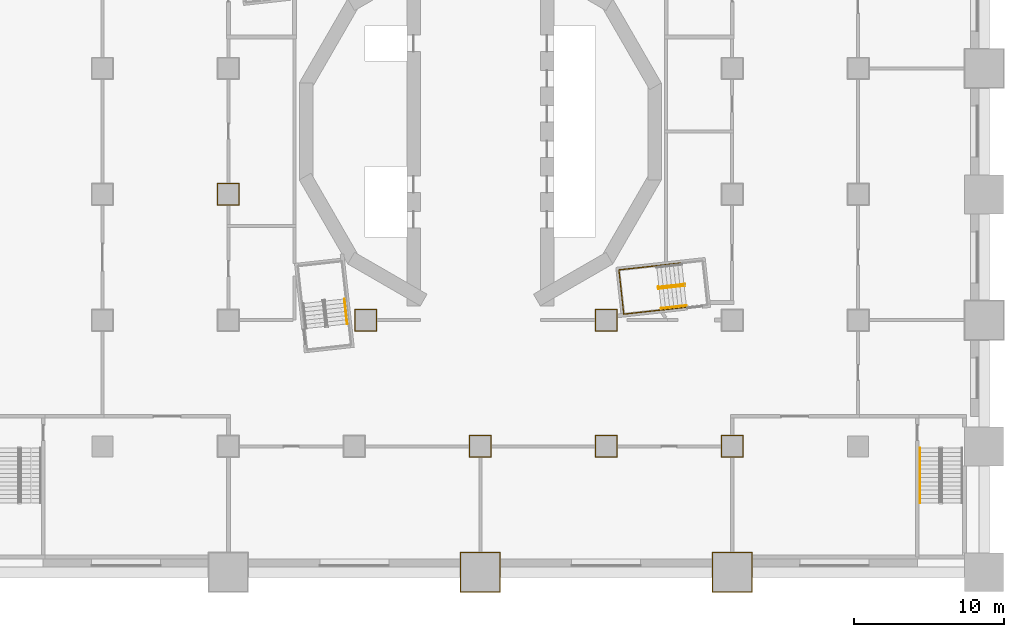
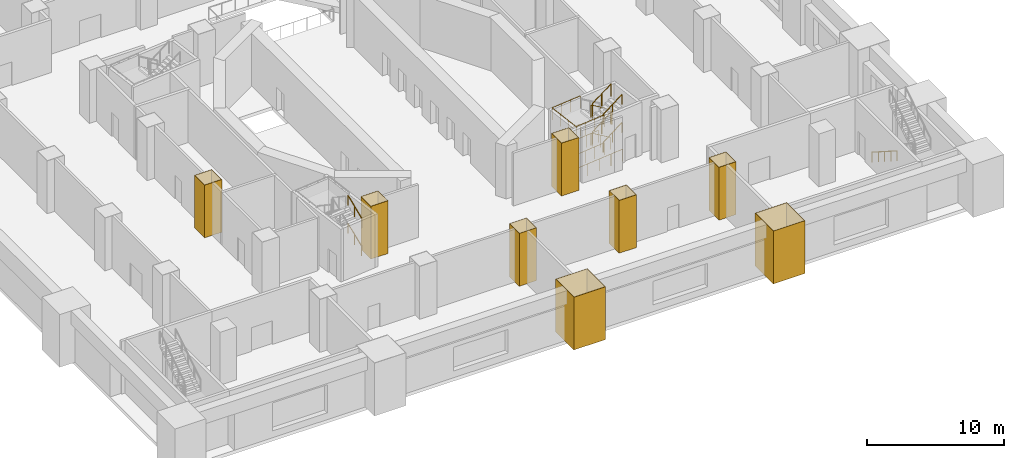
# One storey, part 10 of 18: 12 railings, 8 coverings.
"""IFC4 building model written with IfcOpenShell, lengths in metres."""

import ifcopenshell
import ifcopenshell.guid

model = None  # the IFC model being written
_history = None  # IfcOwnerHistory: only IFC2X3 demands one
_inside = {}  # id of a spatial element -> (the spatial element, [elements in it])
_under = {}  # id of a project, library or spatial element -> (it, [spatial elements below it])
_declared = {}  # id of a project -> (the project, [libraries it declares])
_typed = {}  # id of a type object -> (the type object, [elements of that type])
_made_of = {}  # id of a material, layer set ... -> (it, [elements and type objects made of it])


def new_model(schema):
    """Start an empty IFC model of exactly this schema.

    Asked for "IFC4X3", IfcOpenShell would pick the latest addendum, in which some entities
    have other attributes; the version numbers below select the first issue.
    IFC2X3 requires an IfcOwnerHistory on every rooted entity: one is made here for all.
    """
    global model, _history
    if schema == "IFC4X3":
        model = ifcopenshell.file(schema_version=(4, 3, 0, 0))
    else:
        model = ifcopenshell.file(schema=schema)
    _inside.clear()
    _under.clear()
    _declared.clear()
    _typed.clear()
    _made_of.clear()
    _history = None
    if model.schema == "IFC2X3":
        org = make("IfcOrganization", Name="unknown")
        user = make(
            "IfcPersonAndOrganization",
            ThePerson=make("IfcPerson", FamilyName="unknown"),
            TheOrganization=org,
        )
        app = make(
            "IfcApplication",
            ApplicationDeveloper=org,
            Version="unknown",
            ApplicationFullName="unknown",
            ApplicationIdentifier="unknown",
        )
        _history = make(
            "IfcOwnerHistory",
            OwningUser=user,
            OwningApplication=app,
            ChangeAction="ADDED",
            CreationDate=0,
        )
    return model


def make(cls, **values):
    """One entity of the class cls with the attributes given. An attribute that is None is left unset."""
    return model.create_entity(
        cls, **{name: value for name, value in values.items() if value is not None}
    )


def rooted(cls, **values):
    """An entity with a GlobalId (a new one), such as an element, a storey or a relation."""
    return make(cls, GlobalId=ifcopenshell.guid.new(), OwnerHistory=_history, **values)


def si_unit(unit_type, name, prefix=None):
    """IfcSIUnit, for example si_unit("LENGTHUNIT", "METRE", prefix="MILLI")."""
    return make("IfcSIUnit", UnitType=unit_type, Prefix=prefix, Name=name)


def assignment(units):
    """IfcUnitAssignment: the units of a project."""
    return None if units is None else make("IfcUnitAssignment", Units=units)


def point(xyz):
    """IfcCartesianPoint."""
    return None if xyz is None else make("IfcCartesianPoint", Coordinates=xyz)


def direction(xyz):
    """IfcDirection."""
    return None if xyz is None else make("IfcDirection", DirectionRatios=xyz)


def frame(location, z_axis=None, x_axis=None):
    """IfcAxis2Placement3D, a coordinate frame: its origin and axes. An axis left out is left unset."""
    return make(
        "IfcAxis2Placement3D",
        Location=point(location),
        Axis=direction(z_axis),
        RefDirection=direction(x_axis),
    )


def frame_2d(location, x_axis=None):
    """IfcAxis2Placement2D, a coordinate frame in the plane: its origin and x axis."""
    return make(
        "IfcAxis2Placement2D", Location=point(location), RefDirection=direction(x_axis)
    )


def origin():
    """The frame at (0, 0, 0) with its axes left unset."""
    return frame((0.0, 0.0, 0.0))


def origin_2d():
    """The frame at (0, 0) in the plane with its x axis left unset."""
    return frame_2d((0.0, 0.0))


def place(relative_to, where):
    """IfcLocalPlacement: puts the frame where relative to a parent placement (None: the world)."""
    return make(
        "IfcLocalPlacement", PlacementRelTo=relative_to, RelativePlacement=where
    )


def context(
    kind, dimensions, precision=None, world=None, true_north=None, identifier=None
):
    """IfcGeometricRepresentationContext, for example the 3D "Model" context."""
    return make(
        "IfcGeometricRepresentationContext",
        ContextIdentifier=identifier,
        ContextType=kind,
        CoordinateSpaceDimension=dimensions,
        Precision=precision,
        WorldCoordinateSystem=world,
        TrueNorth=true_north,
    )


def subcontext(parent, identifier, kind, view, scale=None):
    """IfcGeometricRepresentationSubContext, for example "Body" below "Model"."""
    return make(
        "IfcGeometricRepresentationSubContext",
        ContextIdentifier=identifier,
        ContextType=kind,
        ParentContext=parent,
        TargetScale=scale,
        TargetView=view,
    )


def project(units=None, contexts=None):
    """IfcProject with its units and contexts."""
    return rooted(
        "IfcProject",
        Name="project",
        RepresentationContexts=contexts,
        UnitsInContext=assignment(units),
    )


def spatial(cls, under=None, at=None, **own):
    """A site, building, storey or space (cls), placed at a placement, below another one or the project."""
    s = rooted(cls, ObjectPlacement=at, **own)
    if under is not None:
        _under.setdefault(under.id(), (under, []))[1].append(s)
    return s


def polyline(points):
    """IfcPolyline through the points."""
    return make("IfcPolyline", Points=[point(p) for p in points])


def profile(cls, at=None, kind="AREA", **sizes):
    """A parametric profile (cls). Its sizes go by their IFC names, for example OverallWidth=200.0."""
    return make(cls, ProfileType=kind, Position=at, **sizes)


def circle(**sizes):
    """IfcCircleProfileDef."""
    return profile("IfcCircleProfileDef", **sizes)


def outline(outer, holes=None, kind="AREA"):
    """IfcArbitraryClosedProfileDef: a profile drawn as a closed curve; with holes, ...WithVoids."""
    if holes is None:
        return make("IfcArbitraryClosedProfileDef", ProfileType=kind, OuterCurve=outer)
    return make(
        "IfcArbitraryProfileDefWithVoids",
        ProfileType=kind,
        OuterCurve=outer,
        InnerCurves=holes,
    )


def extrude(swept, where, along, depth):
    """IfcExtrudedAreaSolid: the profile swept, set in the frame where, extruded along a direction by depth."""
    return make(
        "IfcExtrudedAreaSolid",
        SweptArea=swept,
        Position=where,
        ExtrudedDirection=direction(along),
        Depth=depth,
    )


def shape(context_of_items, identifier, shape_type, items):
    """IfcShapeRepresentation: the items that make up one representation, for example the "Body"."""
    return make(
        "IfcShapeRepresentation",
        ContextOfItems=context_of_items,
        RepresentationIdentifier=identifier,
        RepresentationType=shape_type,
        Items=items,
    )


def material(Name=None, Category=None):
    """IfcMaterial."""
    return make("IfcMaterial", Name=Name, Category=Category)


def layer(
    of_material, thickness, ventilated=None, Name=None, Category=None, Priority=None
):
    """IfcMaterialLayer: one layer of a wall or slab, of a material (None: an air gap)."""
    return make(
        "IfcMaterialLayer",
        Material=of_material,
        LayerThickness=thickness,
        IsVentilated=ventilated,
        Name=Name,
        Category=Category,
        Priority=Priority,
    )


def layer_set(layers, Name=None):
    """IfcMaterialLayerSet."""
    return make("IfcMaterialLayerSet", MaterialLayers=layers, LayerSetName=Name)


def made_of(thing, what):
    """Note that an element or type object is made of a material, layer set ...; save() writes the relation."""
    if what is not None:
        _made_of.setdefault(what.id(), (what, []))[1].append(thing)
    return thing


def type_object(cls, material=None, **own):
    """A type object (cls), such as IfcWallType, which elements share."""
    return made_of(rooted(cls, **own), material)


def element(
    cls,
    number,
    at=None,
    inside=None,
    cuts=None,
    type_object=None,
    material=None,
    context=None,
    identifier="Body",
    shape_type=None,
    held_by="IfcProductDefinitionShape",
    body=None,
    shapes=None,
    **own,
):
    """One element of the class cls, such as IfcWall. Its Tag is "e" and its number.

    at: its placement. inside: the storey or other place that contains it. cuts: it is an
    opening in that element (IfcRelVoidsElement). A single representation is given by context,
    identifier, shape_type and body (its items); several are given by shapes. held_by: the class
    of the entity that holds the representations. save() writes the other relations.
    """
    e = rooted(cls, Tag="e%d" % number, ObjectPlacement=at, **own)
    if body is not None:
        shapes = [shape(context, identifier, shape_type, body)]
    if shapes is not None:
        e.Representation = make(held_by, Representations=shapes)
    if inside is not None:
        _inside.setdefault(inside.id(), (inside, []))[1].append(e)
    if cuts is not None:
        rooted(
            "IfcRelVoidsElement", RelatingBuildingElement=cuts, RelatedOpeningElement=e
        )
    if type_object is not None:
        _typed.setdefault(type_object.id(), (type_object, []))[1].append(e)
    return made_of(e, material)


def aggregate(whole, parts):
    """IfcRelAggregates: a whole, such as a stair, and the parts it consists of."""
    return rooted("IfcRelAggregates", RelatingObject=whole, RelatedObjects=parts)


def save(model, path):
    """Write the relations noted so far, then the file.

    IfcRelAggregates (storeys below a building ...), IfcRelContainedInSpatialStructure (elements
    in a storey), IfcRelDefinesByType, IfcRelAssociatesMaterial and IfcRelDeclares: one each for
    every whole, place, type object, material and project.
    """
    for whole, parts in _under.values():
        aggregate(whole, parts)
    for where, things in _inside.values():
        rooted(
            "IfcRelContainedInSpatialStructure",
            RelatedElements=things,
            RelatingStructure=where,
        )
    for kind, things in _typed.values():
        rooted("IfcRelDefinesByType", RelatedObjects=things, RelatingType=kind)
    for what, things in _made_of.values():
        rooted("IfcRelAssociatesMaterial", RelatedObjects=things, RelatingMaterial=what)
    for by, libraries in _declared.values():
        rooted("IfcRelDeclares", RelatingContext=by, RelatedDefinitions=libraries)
    model.write(path)


model = new_model("IFC4")

# Units and contexts
model_context = context("Model", 3, precision=1e-05, world=origin(), true_north=direction((0.0, 1.0)))
body_context = subcontext(model_context, "Body", "Model", "MODEL_VIEW")
ifc_project = project(units=[si_unit("LENGTHUNIT", "METRE"), si_unit("AREAUNIT", "SQUARE_METRE"), si_unit("VOLUMEUNIT", "CUBIC_METRE"), si_unit("PLANEANGLEUNIT", "RADIAN"), si_unit("MASSUNIT", "GRAM", prefix="KILO")], contexts=[model_context])

# Site, building, storey
site_placement = place(None, origin())
site = spatial("IfcSite", under=ifc_project, at=site_placement, CompositionType="ELEMENT")
building_placement = place(site_placement, origin())
building = spatial("IfcBuilding", under=site, at=building_placement, Name="Cantera Rosa Tower", CompositionType="ELEMENT")
storey_placement = place(building_placement, frame((0.0, 0.0, 17.0)))
storey = spatial("IfcBuildingStorey", under=building, at=storey_placement, Name="L02", CompositionType="ELEMENT", Elevation=17.0)

# Coverings
ifc_material_1 = material(Name="Plaster")
ifc_layer = layer(ifc_material_1, 0.030029296875)
ifc_layer_set = layer_set([ifc_layer], Name="Column casing 30")
covering_type = type_object("IfcCoveringType", Name="Column casing 30", PredefinedType="CLADDING", material=ifc_layer_set)
covering_1_placement = place(storey_placement, origin())
element("IfcCovering", 1, at=covering_1_placement, inside=storey, type_object=covering_type, Name="Column casing L02-008", PredefinedType="CLADDING", context=body_context, shape_type="SweptSolid", body=[
    extrude(outline(polyline([(-17.530029296875, -4.929931640625), (-16.070068359375, -4.929931640625), (-16.070068359375, -3.469970703125), (-17.530029296875, -3.469970703125), (-17.530029296875, -4.929931640625)]), holes=[polyline([(-16.10009765625, -3.5), (-17.5, -3.5), (-17.5, -4.89990234375), (-16.10009765625, -4.89990234375), (-16.10009765625, -3.5)])]), origin(), (0.0, 0.0, 1.0), 4.699951171875),
])
covering_2_placement = place(storey_placement, origin())
element("IfcCovering", 2, at=covering_2_placement, inside=storey, type_object=covering_type, Name="Column casing L02-014", PredefinedType="CLADDING", context=body_context, shape_type="SweptSolid", body=[
    extrude(outline(polyline([(-8.3798828125, -13.330078125), (-6.919921875, -13.330078125), (-6.919921875, -11.8701171875), (-8.3798828125, -11.8701171875), (-8.3798828125, -13.330078125)]), holes=[polyline([(-6.949951171875, -11.89990234375), (-8.35009765625, -11.89990234375), (-8.35009765625, -13.300048828125), (-6.949951171875, -13.300048828125), (-6.949951171875, -11.89990234375)])]), origin(), (0.0, 0.0, 1.0), 4.699951171875),
])
covering_3_placement = place(storey_placement, origin())
element("IfcCovering", 3, at=covering_3_placement, inside=storey, type_object=covering_type, Name="Column casing L02-017", PredefinedType="CLADDING", context=body_context, shape_type="SweptSolid", body=[
    extrude(outline(polyline([(-1.330078125, -30.72998046875), (1.330078125, -30.72998046875), (1.330078125, -28.070068359375), (-1.330078125, -28.070068359375), (-1.330078125, -30.72998046875)]), holes=[polyline([(1.300048828125, -28.10009765625), (-1.300048828125, -28.10009765625), (-1.300048828125, -30.699951171875), (1.300048828125, -30.699951171875), (1.300048828125, -28.10009765625)])]), origin(), (0.0, 0.0, 1.0), 4.699951171875),
])
covering_4_placement = place(storey_placement, origin())
element("IfcCovering", 4, at=covering_4_placement, inside=storey, type_object=covering_type, Name="Column casing L02-018", PredefinedType="CLADDING", context=body_context, shape_type="SweptSolid", body=[
    extrude(outline(polyline([(-0.72998046875, -21.72998046875), (0.72998046875, -21.72998046875), (0.72998046875, -20.27001953125), (-0.72998046875, -20.27001953125), (-0.72998046875, -21.72998046875)]), holes=[polyline([(0.699951171875, -20.300048828125), (-0.699951171875, -20.300048828125), (-0.699951171875, -21.699951171875), (0.699951171875, -21.699951171875), (0.699951171875, -20.300048828125)])]), origin(), (0.0, 0.0, 1.0), 4.699951171875),
])
covering_5_placement = place(storey_placement, origin())
element("IfcCovering", 5, at=covering_5_placement, inside=storey, type_object=covering_type, Name="Column casing L02-020", PredefinedType="CLADDING", context=body_context, shape_type="SweptSolid", body=[
    extrude(outline(polyline([(7.669921875, -21.72998046875), (9.1298828125, -21.72998046875), (9.1298828125, -20.27001953125), (7.669921875, -20.27001953125), (7.669921875, -21.72998046875)]), holes=[polyline([(9.10009765625, -20.300048828125), (7.699951171875, -20.300048828125), (7.699951171875, -21.699951171875), (9.10009765625, -21.699951171875), (9.10009765625, -20.300048828125)])]), origin(), (0.0, 0.0, 1.0), 4.699951171875),
])
covering_6_placement = place(storey_placement, origin())
element("IfcCovering", 6, at=covering_6_placement, inside=storey, type_object=covering_type, Name="Column casing L02-021", PredefinedType="CLADDING", context=body_context, shape_type="SweptSolid", body=[
    extrude(outline(polyline([(7.669921875, -13.330078125), (9.1298828125, -13.330078125), (9.1298828125, -11.8701171875), (7.669921875, -11.8701171875), (7.669921875, -13.330078125)]), holes=[polyline([(9.10009765625, -11.89990234375), (7.699951171875, -11.89990234375), (7.699951171875, -13.300048828125), (9.10009765625, -13.300048828125), (9.10009765625, -11.89990234375)])]), origin(), (0.0, 0.0, 1.0), 4.699951171875),
])
covering_7_placement = place(storey_placement, origin())
element("IfcCovering", 7, at=covering_7_placement, inside=storey, type_object=covering_type, Name="Column casing L02-024", PredefinedType="CLADDING", context=body_context, shape_type="SweptSolid", body=[
    extrude(outline(polyline([(15.469970703125, -30.72998046875), (18.1298828125, -30.72998046875), (18.1298828125, -28.070068359375), (15.469970703125, -28.070068359375), (15.469970703125, -30.72998046875)]), holes=[polyline([(18.10009765625, -28.10009765625), (15.5, -28.10009765625), (15.5, -30.699951171875), (18.10009765625, -30.699951171875), (18.10009765625, -28.10009765625)])]), origin(), (0.0, 0.0, 1.0), 4.699951171875),
])
covering_8_placement = place(storey_placement, origin())
element("IfcCovering", 8, at=covering_8_placement, inside=storey, type_object=covering_type, Name="Column casing L02-025", PredefinedType="CLADDING", context=body_context, shape_type="SweptSolid", body=[
    extrude(outline(polyline([(16.070068359375, -21.72998046875), (17.530029296875, -21.72998046875), (17.530029296875, -20.27001953125), (16.070068359375, -20.27001953125), (16.070068359375, -21.72998046875)]), holes=[polyline([(17.5, -20.300048828125), (16.10009765625, -20.300048828125), (16.10009765625, -21.699951171875), (17.5, -21.699951171875), (17.5, -20.300048828125)])]), origin(), (0.0, 0.0, 1.0), 4.699951171875),
])

# Railings
ifc_material_2 = material(Name="Steel S355J2 (EN 10025-2)", Category="steel")
railing_type_1 = type_object("IfcRailingType", Name="STAIR GUARD 1100", PredefinedType="GUARDRAIL", material=ifc_material_2)
railing_1_placement = place(storey_placement, frame((13.5859375, -10.19677734375, 0.178466796875)))
element("IfcRailing", 9, at=railing_1_placement, inside=storey, type_object=railing_type_1, Name="L02 ST-14 stair guard 1", PredefinedType="GUARDRAIL", context=body_context, shape_type="SweptSolid", body=[
    extrude(circle(Radius=0.02392578125, at=origin_2d()), frame((0.0, 0.0, 1.076171875), z_axis=(-0.837950904326, -0.092996744609, 0.537763784046), x_axis=(0.110303920128, -0.993897904819, 0.0)), (0.0, 0.0, 1.0), 1.99267578125),
    extrude(circle(Radius=0.02392578125, at=origin_2d()), frame((-1.669677734375, -0.185302734375, 2.1474609375), z_axis=(-0.932897555956, 0.360141847183, 0.0), x_axis=(-0.360141847183, -0.932897555956, 0.0)), (0.0, 0.0, 1.0), 0.05615234375),
    extrude(circle(Radius=0.02392578125, at=origin_2d()), frame((-1.72216796875, -0.1650390625, 2.1474609375), z_axis=(0.110610055588, -0.993863881828, 0.0), x_axis=(0.993863881828, 0.110610055588, 0.0)), (0.0, 0.0, 1.0), 0.150146484375),
    extrude(circle(Radius=0.02099609375, at=origin_2d()), origin(), (0.0, 0.0, 1.0), 1.052001953125),
    extrude(circle(Radius=0.02099609375, at=origin_2d()), frame((-0.8349609375, -0.0927734375, 0.53564453125)), (0.0, 0.0, 1.0), 1.052001953125),
    extrude(circle(Radius=0.02099609375, at=origin_2d()), frame((-1.669677734375, -0.185302734375, 1.071533203125)), (0.0, 0.0, 1.0), 1.052001953125),
    extrude(circle(Radius=0.02099609375, at=origin_2d()), frame((-1.72216796875, -0.1650390625, 1.071533203125)), (0.0, 0.0, 1.0), 1.052001953125),
    extrude(circle(Radius=0.02099609375, at=origin_2d()), frame((-1.70556640625, -0.314208984375, 1.071533203125)), (0.0, 0.0, 1.0), 1.052001953125),
])
railing_2_placement = place(storey_placement, frame((11.927001953125, -10.4794921875, 1.428466796875)))
element("IfcRailing", 10, at=railing_2_placement, inside=storey, type_object=railing_type_1, Name="L02 ST-14 stair guard 2", PredefinedType="GUARDRAIL", context=body_context, shape_type="SweptSolid", body=[
    extrude(circle(Radius=0.02392578125, at=origin_2d()), frame((0.0, 0.0, 1.076171875), z_axis=(0.837987391448, 0.092987197384, 0.537708576179), x_axis=(-0.11028798999, 0.993899672635, 0.0)), (0.0, 0.0, 1.0), 1.99267578125),
    extrude(circle(Radius=0.02392578125, at=origin_2d()), frame((1.669921875, 0.185302734375, 2.1474609375), z_axis=(0.931434406233, -0.363909256389, 0.0), x_axis=(0.363909256389, 0.931434406233, 0.0)), (0.0, 0.0, 1.0), 0.056396484375),
    extrude(circle(Radius=0.02392578125, at=origin_2d()), frame((1.722412109375, 0.164794921875, 2.1474609375), z_axis=(-0.110610055588, 0.993863881828, 0.0), x_axis=(-0.993863881828, -0.110610055588, 0.0)), (0.0, 0.0, 1.0), 0.150146484375),
    extrude(circle(Radius=0.02099609375, at=origin_2d()), origin(), (0.0, 0.0, 1.0), 1.052001953125),
    extrude(circle(Radius=0.02099609375, at=origin_2d()), frame((0.8349609375, 0.0927734375, 0.53564453125)), (0.0, 0.0, 1.0), 1.052001953125),
    extrude(circle(Radius=0.02099609375, at=origin_2d()), frame((1.669921875, 0.185302734375, 1.071533203125)), (0.0, 0.0, 1.0), 1.052001953125),
    extrude(circle(Radius=0.02099609375, at=origin_2d()), frame((1.722412109375, 0.164794921875, 1.071533203125)), (0.0, 0.0, 1.0), 1.052001953125),
    extrude(circle(Radius=0.02099609375, at=origin_2d()), frame((1.705810546875, 0.31396484375, 1.071533203125)), (0.0, 0.0, 1.0), 1.052001953125),
])
railing_3_placement = place(storey_placement, frame((13.5859375, -10.19677734375, 2.678466796875)))
element("IfcRailing", 11, at=railing_3_placement, inside=storey, type_object=railing_type_1, Name="L02 ST-14 stair guard 3", PredefinedType="GUARDRAIL", context=body_context, shape_type="SweptSolid", body=[
    extrude(circle(Radius=0.02392578125, at=origin_2d()), frame((0.0, 0.0, 1.076171875), z_axis=(-0.837950904326, -0.092996744609, 0.537763784046), x_axis=(0.110303920128, -0.993897904819, 0.0)), (0.0, 0.0, 1.0), 1.99267578125),
    extrude(circle(Radius=0.02392578125, at=origin_2d()), frame((-1.669677734375, -0.185302734375, 2.1474609375), z_axis=(-0.932897555956, 0.360141847183, 0.0), x_axis=(-0.360141847183, -0.932897555956, 0.0)), (0.0, 0.0, 1.0), 0.05615234375),
    extrude(circle(Radius=0.02392578125, at=origin_2d()), frame((-1.72216796875, -0.1650390625, 2.1474609375), z_axis=(0.110610055588, -0.993863881828, 0.0), x_axis=(0.993863881828, 0.110610055588, 0.0)), (0.0, 0.0, 1.0), 0.150146484375),
    extrude(circle(Radius=0.02099609375, at=origin_2d()), origin(), (0.0, 0.0, 1.0), 1.052001953125),
    extrude(circle(Radius=0.02099609375, at=origin_2d()), frame((-0.8349609375, -0.0927734375, 0.53564453125)), (0.0, 0.0, 1.0), 1.052001953125),
    extrude(circle(Radius=0.02099609375, at=origin_2d()), frame((-1.669677734375, -0.185302734375, 1.071533203125)), (0.0, 0.0, 1.0), 1.052001953125),
    extrude(circle(Radius=0.02099609375, at=origin_2d()), frame((-1.72216796875, -0.1650390625, 1.071533203125)), (0.0, 0.0, 1.0), 1.052001953125),
    extrude(circle(Radius=0.02099609375, at=origin_2d()), frame((-1.70556640625, -0.314208984375, 1.071533203125)), (0.0, 0.0, 1.0), 1.052001953125),
])
railing_4_placement = place(storey_placement, frame((11.927001953125, -10.4794921875, 3.928466796875)))
element("IfcRailing", 12, at=railing_4_placement, inside=storey, type_object=railing_type_1, Name="L02 ST-14 stair guard 4", PredefinedType="GUARDRAIL", context=body_context, shape_type="SweptSolid", body=[
    extrude(circle(Radius=0.02392578125, at=origin_2d()), frame((0.0, 0.0, 1.076171875), z_axis=(0.837987391448, 0.092987197384, 0.537708576179), x_axis=(-0.11028798999, 0.993899672635, 0.0)), (0.0, 0.0, 1.0), 1.99267578125),
    extrude(circle(Radius=0.02099609375, at=origin_2d()), origin(), (0.0, 0.0, 1.0), 1.052001953125),
    extrude(circle(Radius=0.02099609375, at=origin_2d()), frame((0.8349609375, 0.0927734375, 0.53564453125)), (0.0, 0.0, 1.0), 1.052001953125),
    extrude(circle(Radius=0.02099609375, at=origin_2d()), frame((1.669921875, 0.185302734375, 1.071533203125)), (0.0, 0.0, 1.0), 1.052001953125),
])
railing_5_placement = place(storey_placement, frame((13.415771484375, -8.77099609375, 0.0)))
element("IfcRailing", 13, at=railing_5_placement, inside=storey, type_object=railing_type_1, Name="L02 ST-14 stair guard 6", PredefinedType="GUARDRAIL", context=body_context, shape_type="SweptSolid", body=[
    extrude(circle(Radius=0.02392578125, at=origin_2d()), frame((0.0, 0.0, 1.076171875), z_axis=(-0.9938957856, -0.110323013767, 0.0), x_axis=(0.110323013767, -0.9938957856, 0.0)), (0.0, 0.0, 1.0), 4.197998046875),
    extrude(circle(Radius=0.02392578125, at=origin_2d()), frame((-4.17236328125, -0.463134765625, 1.076171875), z_axis=(0.110314237986, -0.993896759678, 0.0), x_axis=(0.993896759678, 0.110314237986, 0.0)), (0.0, 0.0, 1.0), 2.969970703125),
    extrude(circle(Radius=0.02392578125, at=origin_2d()), frame((-3.8447265625, -3.4150390625, 1.076171875), z_axis=(0.9938957856, 0.110323013767, 0.0), x_axis=(-0.110323013767, 0.9938957856, 0.0)), (0.0, 0.0, 1.0), 4.197998046875),
    extrude(circle(Radius=0.02099609375, at=origin_2d()), origin(), (0.0, 0.0, 1.0), 1.052001953125),
    extrude(circle(Radius=0.02099609375, at=origin_2d()), frame((-1.04296875, -0.11572265625, 0.0)), (0.0, 0.0, 1.0), 1.052001953125),
    extrude(circle(Radius=0.02099609375, at=origin_2d()), frame((-2.086181640625, -0.2314453125, 0.0)), (0.0, 0.0, 1.0), 1.052001953125),
    extrude(circle(Radius=0.02099609375, at=origin_2d()), frame((-3.12939453125, -0.347412109375, 0.0)), (0.0, 0.0, 1.0), 1.052001953125),
    extrude(circle(Radius=0.02099609375, at=origin_2d()), frame((-4.17236328125, -0.463134765625, 0.0)), (0.0, 0.0, 1.0), 1.052001953125),
    extrude(circle(Radius=0.02099609375, at=origin_2d()), frame((-4.063232421875, -1.447021484375, 0.0)), (0.0, 0.0, 1.0), 1.052001953125),
    extrude(circle(Radius=0.02099609375, at=origin_2d()), frame((-3.953857421875, -2.43115234375, 0.0)), (0.0, 0.0, 1.0), 1.052001953125),
    extrude(circle(Radius=0.02099609375, at=origin_2d()), frame((-3.8447265625, -3.4150390625, 0.0)), (0.0, 0.0, 1.0), 1.052001953125),
    extrude(circle(Radius=0.02099609375, at=origin_2d()), frame((-2.8017578125, -3.29931640625, 0.0)), (0.0, 0.0, 1.0), 1.052001953125),
    extrude(circle(Radius=0.02099609375, at=origin_2d()), frame((-1.758544921875, -3.18359375, 0.0)), (0.0, 0.0, 1.0), 1.052001953125),
    extrude(circle(Radius=0.02099609375, at=origin_2d()), frame((-0.71533203125, -3.067626953125, 0.0)), (0.0, 0.0, 1.0), 1.052001953125),
    extrude(circle(Radius=0.02099609375, at=origin_2d()), frame((0.32763671875, -2.951904296875, 0.0)), (0.0, 0.0, 1.0), 1.052001953125),
])
railing_6_placement = place(storey_placement, frame((11.769775390625, -8.95361328125, 1.25)))
element("IfcRailing", 14, at=railing_6_placement, inside=storey, type_object=railing_type_1, Name="L02 ST-14 stair guard 7", PredefinedType="GUARDRAIL", context=body_context, shape_type="SweptSolid", body=[
    extrude(circle(Radius=0.02392578125, at=origin_2d()), frame((0.0, 0.0, 1.076171875), z_axis=(-0.993891931048, -0.110357733743, 0.0), x_axis=(0.110357733743, -0.993891931048, 0.0)), (0.0, 0.0, 1.0), 2.5419921875),
    extrude(circle(Radius=0.02392578125, at=origin_2d()), frame((-2.5263671875, -0.280517578125, 1.076171875), z_axis=(0.110314237986, -0.993896759678, 0.0), x_axis=(0.993896759678, 0.110314237986, 0.0)), (0.0, 0.0, 1.0), 2.969970703125),
    extrude(circle(Radius=0.02392578125, at=origin_2d()), frame((-2.19873046875, -3.232421875, 1.076171875), z_axis=(0.993891931048, 0.110357733743, 0.0), x_axis=(-0.110357733743, 0.993891931048, 0.0)), (0.0, 0.0, 1.0), 2.5419921875),
    extrude(circle(Radius=0.02099609375, at=origin_2d()), origin(), (0.0, 0.0, 1.0), 1.052001953125),
    extrude(circle(Radius=0.02099609375, at=origin_2d()), frame((-0.842041015625, -0.093505859375, 0.0)), (0.0, 0.0, 1.0), 1.052001953125),
    extrude(circle(Radius=0.02099609375, at=origin_2d()), frame((-1.684326171875, -0.18701171875, 0.0)), (0.0, 0.0, 1.0), 1.052001953125),
    extrude(circle(Radius=0.02099609375, at=origin_2d()), frame((-2.5263671875, -0.280517578125, 0.0)), (0.0, 0.0, 1.0), 1.052001953125),
    extrude(circle(Radius=0.02099609375, at=origin_2d()), frame((-2.417236328125, -1.264404296875, 0.0)), (0.0, 0.0, 1.0), 1.052001953125),
    extrude(circle(Radius=0.02099609375, at=origin_2d()), frame((-2.307861328125, -2.24853515625, 0.0)), (0.0, 0.0, 1.0), 1.052001953125),
    extrude(circle(Radius=0.02099609375, at=origin_2d()), frame((-2.19873046875, -3.232421875, 0.0)), (0.0, 0.0, 1.0), 1.052001953125),
    extrude(circle(Radius=0.02099609375, at=origin_2d()), frame((-1.356689453125, -3.138916015625, 0.0)), (0.0, 0.0, 1.0), 1.052001953125),
    extrude(circle(Radius=0.02099609375, at=origin_2d()), frame((-0.514404296875, -3.04541015625, 0.0)), (0.0, 0.0, 1.0), 1.052001953125),
    extrude(circle(Radius=0.02099609375, at=origin_2d()), frame((0.32763671875, -2.951904296875, 0.0)), (0.0, 0.0, 1.0), 1.052001953125),
])
railing_7_placement = place(storey_placement, frame((11.769775390625, -8.95361328125, 3.75)))
element("IfcRailing", 15, at=railing_7_placement, inside=storey, type_object=railing_type_1, Name="L02 ST-14 stair guard 9", PredefinedType="GUARDRAIL", context=body_context, shape_type="SweptSolid", body=[
    extrude(circle(Radius=0.02392578125, at=origin_2d()), frame((0.0, 0.0, 1.076171875), z_axis=(-0.993891931048, -0.110357733743, 0.0), x_axis=(0.110357733743, -0.993891931048, 0.0)), (0.0, 0.0, 1.0), 2.5419921875),
    extrude(circle(Radius=0.02392578125, at=origin_2d()), frame((-2.5263671875, -0.280517578125, 1.076171875), z_axis=(0.110314237986, -0.993896759678, 0.0), x_axis=(0.993896759678, 0.110314237986, 0.0)), (0.0, 0.0, 1.0), 2.969970703125),
    extrude(circle(Radius=0.02392578125, at=origin_2d()), frame((-2.19873046875, -3.232421875, 1.076171875), z_axis=(0.993891931048, 0.110357733743, 0.0), x_axis=(-0.110357733743, 0.993891931048, 0.0)), (0.0, 0.0, 1.0), 2.5419921875),
    extrude(circle(Radius=0.02099609375, at=origin_2d()), origin(), (0.0, 0.0, 1.0), 1.052001953125),
    extrude(circle(Radius=0.02099609375, at=origin_2d()), frame((-0.842041015625, -0.093505859375, 0.0)), (0.0, 0.0, 1.0), 1.052001953125),
    extrude(circle(Radius=0.02099609375, at=origin_2d()), frame((-1.684326171875, -0.18701171875, 0.0)), (0.0, 0.0, 1.0), 1.052001953125),
    extrude(circle(Radius=0.02099609375, at=origin_2d()), frame((-2.5263671875, -0.280517578125, 0.0)), (0.0, 0.0, 1.0), 1.052001953125),
    extrude(circle(Radius=0.02099609375, at=origin_2d()), frame((-2.417236328125, -1.264404296875, 0.0)), (0.0, 0.0, 1.0), 1.052001953125),
    extrude(circle(Radius=0.02099609375, at=origin_2d()), frame((-2.307861328125, -2.24853515625, 0.0)), (0.0, 0.0, 1.0), 1.052001953125),
    extrude(circle(Radius=0.02099609375, at=origin_2d()), frame((-2.19873046875, -3.232421875, 0.0)), (0.0, 0.0, 1.0), 1.052001953125),
    extrude(circle(Radius=0.02099609375, at=origin_2d()), frame((-1.356689453125, -3.138916015625, 0.0)), (0.0, 0.0, 1.0), 1.052001953125),
    extrude(circle(Radius=0.02099609375, at=origin_2d()), frame((-0.514404296875, -3.04541015625, 0.0)), (0.0, 0.0, 1.0), 1.052001953125),
    extrude(circle(Radius=0.02099609375, at=origin_2d()), frame((0.32763671875, -2.951904296875, 0.0)), (0.0, 0.0, 1.0), 1.052001953125),
])
ifc_material_3 = material(Name="Steel S355J2 (EN 10025-2)", Category="steel")
railing_type_2 = type_object("IfcRailingType", Name="STAIR HANDRAIL 900", PredefinedType="HANDRAIL", material=ifc_material_3)
for number, where, name in (
    (16, (-8.87890625, -12.83984375, 0.178466796875), "L02 ST-13 stair handrail 1"),
    (17, (-8.87890625, -12.83984375, 2.678466796875), "L02 ST-13 stair handrail 3"),
):
    element("IfcRailing", number, at=place(storey_placement, frame(where)), inside=storey, type_object=railing_type_2, Name=name, PredefinedType="HANDRAIL", context=body_context, shape_type="SweptSolid", body=[
        extrude(circle(Radius=0.02392578125, at=origin_2d()), frame((0.0, 0.0, 0.8759765625), z_axis=(-0.092987197384, 0.837987391448, 0.537708576179), x_axis=(-0.993899672635, -0.11028798999, 0.0)), (0.0, 0.0, 1.0), 1.99267578125),
        extrude(circle(Radius=0.02099609375, at=origin_2d()), origin(), (0.0, 0.0, 1.0), 0.851806640625),
        extrude(circle(Radius=0.02099609375, at=origin_2d()), frame((-0.0927734375, 0.8349609375, 0.53564453125)), (0.0, 0.0, 1.0), 0.851806640625),
        extrude(circle(Radius=0.02099609375, at=origin_2d()), frame((-0.185302734375, 1.669921875, 1.071533203125)), (0.0, 0.0, 1.0), 0.851806640625),
    ])
for number, where, name in (
    (18, (12.073486328125, -11.797607421875, 1.428466796875), "L02 ST-14 stair handrail 2"),
    (19, (12.073486328125, -11.797607421875, 3.928466796875), "L02 ST-14 stair handrail 4"),
):
    element("IfcRailing", number, at=place(storey_placement, frame(where)), inside=storey, type_object=railing_type_2, Name=name, PredefinedType="HANDRAIL", context=body_context, shape_type="SweptSolid", body=[
        extrude(circle(Radius=0.02392578125, at=origin_2d()), frame((0.0, 0.0, 0.8759765625), z_axis=(0.837941350202, 0.09311820824, 0.537757652586), x_axis=(-0.110447476434, 0.993881962282, 0.0)), (0.0, 0.0, 1.0), 1.99267578125),
        extrude(circle(Radius=0.02099609375, at=origin_2d()), origin(), (0.0, 0.0, 1.0), 0.851806640625),
        extrude(circle(Radius=0.02099609375, at=origin_2d()), frame((0.8349609375, 0.0927734375, 0.53564453125)), (0.0, 0.0, 1.0), 0.851806640625),
        extrude(circle(Radius=0.02099609375, at=origin_2d()), frame((1.669677734375, 0.185546875, 1.071533203125)), (0.0, 0.0, 1.0), 0.851806640625),
    ])
railing_8_placement = place(storey_placement, frame((29.324951171875, -21.125, 0.178466796875)))
element("IfcRailing", 20, at=railing_8_placement, inside=storey, type_object=railing_type_2, Name="L02 ST-SE stair handrail 1", PredefinedType="HANDRAIL", context=body_context, shape_type="SweptSolid", body=[
    extrude(circle(Radius=0.02392578125, at=origin_2d()), frame((0.0, 0.0, 0.8759765625), z_axis=(0.0, -0.843111507901, 0.53773877045), x_axis=(1.0, 0.0, 0.0)), (0.0, 0.0, 1.0), 4.317138671875),
    extrude(circle(Radius=0.02099609375, at=origin_2d()), origin(), (0.0, 0.0, 1.0), 0.851806640625),
    extrude(circle(Radius=0.02099609375, at=origin_2d()), frame((0.0, -0.909912109375, 0.580322265625)), (0.0, 0.0, 1.0), 0.851806640625),
    extrude(circle(Radius=0.02099609375, at=origin_2d()), frame((0.0, -1.81982421875, 1.16064453125)), (0.0, 0.0, 1.0), 0.851806640625),
    extrude(circle(Radius=0.02099609375, at=origin_2d()), frame((0.0, -2.72998046875, 1.7412109375)), (0.0, 0.0, 1.0), 0.851806640625),
    extrude(circle(Radius=0.02099609375, at=origin_2d()), frame((0.0, -3.639892578125, 2.321533203125)), (0.0, 0.0, 1.0), 0.851806640625),
])

save(model, "model.ifc")
